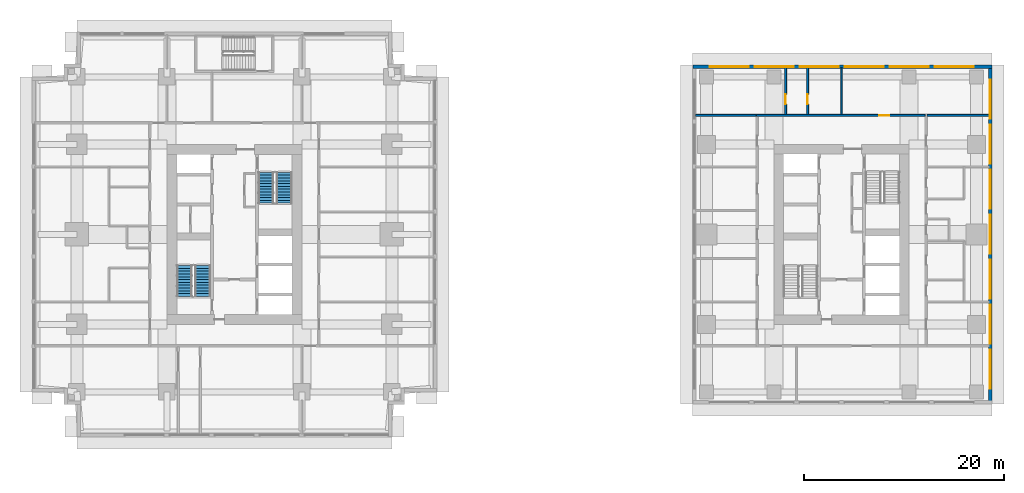
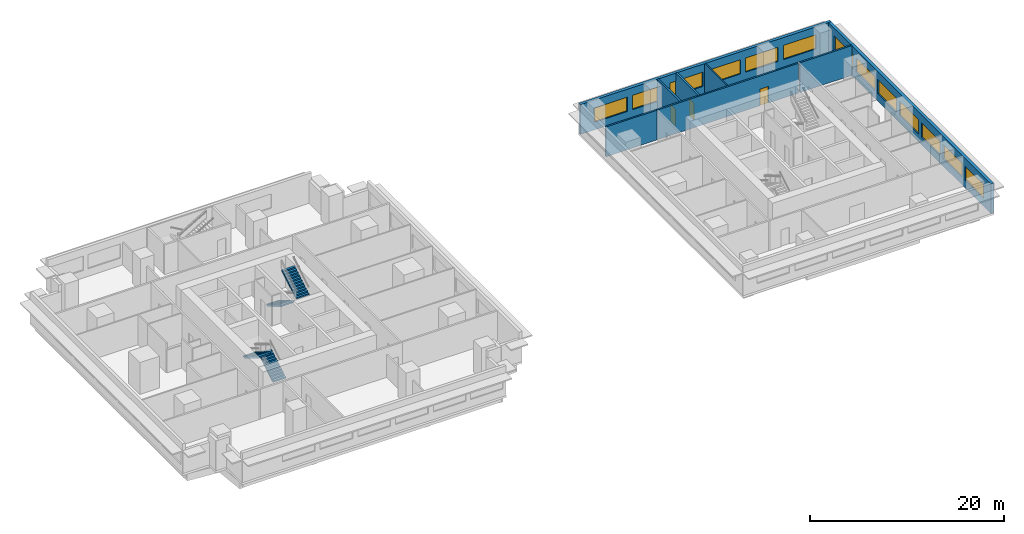
# One storey, part 8 of 11: 13 windows, 8 walls, 4 stair flights, 3 doors, 16 openings, 2 elements without a shape of their own.
"""IFC4 building model written with IfcOpenShell, lengths in metres."""

from ifc_helpers import new_model, si_unit, direction, frame, frame_2d, origin, place, context, subcontext, project, spatial, polyline, rectangle, outline, extrude, material, layer, layer_set, type_object, element, fill, aggregate, save


model = new_model("IFC4")

# Units and contexts
model_context = context("Model", 3, precision=1e-05, world=origin(), true_north=direction((0.0, 1.0)))
body_context = subcontext(model_context, "Body", "Model", "MODEL_VIEW")
ifc_project = project(units=[si_unit("LENGTHUNIT", "METRE"), si_unit("AREAUNIT", "SQUARE_METRE"), si_unit("VOLUMEUNIT", "CUBIC_METRE"), si_unit("PLANEANGLEUNIT", "RADIAN"), si_unit("MASSUNIT", "GRAM", prefix="KILO")], contexts=[model_context])

# Site, building, storey
site_placement = place(None, origin())
site = spatial("IfcSite", under=ifc_project, at=site_placement, CompositionType="ELEMENT")
building_placement = place(site_placement, origin())
building = spatial("IfcBuilding", under=site, at=building_placement, Name="Namib Vertical Campus", CompositionType="ELEMENT")
storey_placement = place(building_placement, frame((0.0, 0.0, 185.0)))
storey = spatial("IfcBuildingStorey", under=building, at=storey_placement, Name="L43", CompositionType="ELEMENT", Elevation=185.0)

# Wall, opening, door
ifc_material_1 = material(Name="Concrete masonry", Category="masonry")
ifc_layer_1 = layer(ifc_material_1, 0.199951171875)
ifc_layer_set_1 = layer_set([ifc_layer_1], Name="Corridor wall 200")
wall_type_1 = type_object("IfcWallType", Name="Corridor wall 200", PredefinedType="SOLIDWALL", material=ifc_layer_set_1)
wall_1_placement = place(storey_placement, frame((89.35009765625, 32.14990234375, 0.0), z_axis=(0.0, 0.0, 1.0), x_axis=(-1.0, 0.0, 0.0)))
wall_1 = element("IfcWall", 1, at=wall_1_placement, inside=storey, type_object=wall_type_1, Name="Corridor wall B L43 CN", PredefinedType="SOLIDWALL", context=body_context, shape_type="SweptSolid", body=[
    extrude(rectangle(XDim=16.900146484375, YDim=0.199951171875, at=frame_2d((8.4501953125, 0.0))), origin(), (0.0, 0.0, 1.0), 3.75),
])
opening_1_placement = place(wall_1_placement, frame((3.574951171875, 0.0, 0.0)))
opening_1 = element("IfcOpeningElement", 2, at=opening_1_placement, cuts=wall_1, Name="Opening CD1", PredefinedType="OPENING", context=body_context, shape_type="SweptSolid", body=[
    extrude(rectangle(XDim=1.0, YDim=2.10009765625, at=frame_2d((0.5, 1.050048828125))), frame((0.0, 0.10986328125, 0.0), z_axis=(0.0, -1.0, 0.0), x_axis=(1.0, 0.0, 0.0)), (0.0, 0.0, 1.0), 0.219970703125),
])
ifc_material_2 = material(Name="Timber fire door leaf", Category="wood")
door_type = type_object("IfcDoorType", Name="Corridor door 1000x2100 20 min", OperationType="SINGLE_SWING_LEFT", PredefinedType="DOOR", material=ifc_material_2)
door_1_placement = place(opening_1_placement, frame((1.0, 0.0, 0.0), z_axis=(0.0, 0.0, 1.0), x_axis=(-1.0, 0.0, 0.0)))
door_1 = element("IfcDoor", 3, at=door_1_placement, inside=storey, type_object=door_type, Name="Door CD1 B43-12", OperationType="SINGLE_SWING_LEFT", OverallHeight=2.10009765625, OverallWidth=1.0, PredefinedType="DOOR", context=body_context, shape_type="SweptSolid", body=[
    extrude(rectangle(XDim=1.0, YDim=2.10009765625, at=frame_2d((0.5, 1.050048828125))), frame((0.0, 0.02490234375, 0.0), z_axis=(0.0, -1.0, 0.0), x_axis=(1.0, 0.0, 0.0)), (0.0, 0.0, 1.0), 0.050048828125),
])
fill(opening_1, door_1)

wall_2_placement = place(storey_placement, frame((75.39990234375, 32.25, 0.0), z_axis=(0.0, 0.0, 1.0), x_axis=(0.0, 1.0, 0.0)))
wall_2 = element("IfcWall", 4, at=wall_2_placement, inside=storey, type_object=wall_type_1, Name="Corridor wall B L43 SPN1", PredefinedType="SOLIDWALL", context=body_context, shape_type="SweptSolid", body=[
    extrude(rectangle(XDim=4.64990234375, YDim=0.199951171875, at=frame_2d((2.324951171875, 0.0))), origin(), (0.0, 0.0, 1.0), 3.75),
])
opening_2_placement = place(wall_2_placement, frame((1.0, 0.0, 0.0)))
opening_2 = element("IfcOpeningElement", 5, at=opening_2_placement, cuts=wall_2, Name="Opening CD1", PredefinedType="OPENING", context=body_context, shape_type="SweptSolid", body=[
    extrude(rectangle(XDim=1.0, YDim=2.10009765625, at=frame_2d((0.5, 1.050048828125))), frame((0.0, 0.10986328125, 0.0), z_axis=(0.0, -1.0, 0.0), x_axis=(1.0, 0.0, 0.0)), (0.0, 0.0, 1.0), 0.219970703125),
])
door_2_placement = place(opening_2_placement, origin())
door_2 = element("IfcDoor", 6, at=door_2_placement, inside=storey, type_object=door_type, Name="Door CD1 B43-10", OperationType="SINGLE_SWING_LEFT", OverallHeight=2.10009765625, OverallWidth=1.0, PredefinedType="DOOR", context=body_context, shape_type="SweptSolid", body=[
    extrude(rectangle(XDim=1.0, YDim=2.10009765625, at=frame_2d((0.5, 1.050048828125))), frame((0.0, 0.02490234375, 0.0), z_axis=(0.0, -1.0, 0.0), x_axis=(1.0, 0.0, 0.0)), (0.0, 0.0, 1.0), 0.050048828125),
])
fill(opening_2, door_2)

wall_3_placement = place(storey_placement, frame((77.60009765625, 36.89990234375, 0.0), z_axis=(0.0, 0.0, 1.0), x_axis=(0.0, -1.0, 0.0)))
wall_3 = element("IfcWall", 7, at=wall_3_placement, inside=storey, type_object=wall_type_1, Name="Corridor wall B L43 SPN2", PredefinedType="SOLIDWALL", context=body_context, shape_type="SweptSolid", body=[
    extrude(rectangle(XDim=4.64990234375, YDim=0.199951171875, at=frame_2d((2.324951171875, 0.0))), origin(), (0.0, 0.0, 1.0), 3.75),
])
opening_3_placement = place(wall_3_placement, frame((2.64990234375, 0.0, 0.0)))
opening_3 = element("IfcOpeningElement", 8, at=opening_3_placement, cuts=wall_3, Name="Opening CD1", PredefinedType="OPENING", context=body_context, shape_type="SweptSolid", body=[
    extrude(rectangle(XDim=1.0, YDim=2.10009765625, at=frame_2d((0.5, 1.050048828125))), frame((0.0, 0.10986328125, 0.0), z_axis=(0.0, -1.0, 0.0), x_axis=(1.0, 0.0, 0.0)), (0.0, 0.0, 1.0), 0.219970703125),
])
door_3_placement = place(opening_3_placement, origin())
door_3 = element("IfcDoor", 9, at=door_3_placement, inside=storey, type_object=door_type, Name="Door CD1 B43-11", OperationType="SINGLE_SWING_RIGHT", OverallHeight=2.10009765625, OverallWidth=1.0, PredefinedType="DOOR", context=body_context, shape_type="SweptSolid", body=[
    extrude(rectangle(XDim=1.0, YDim=2.10009765625, at=frame_2d((0.5, 1.050048828125))), frame((0.0, 0.02490234375, 0.0), z_axis=(0.0, -1.0, 0.0), x_axis=(1.0, 0.0, 0.0)), (0.0, 0.0, 1.0), 0.050048828125),
])
fill(opening_3, door_3)

# Walls
wall_4_placement = place(storey_placement, frame((66.39990234375, 32.14990234375, 0.0), z_axis=(0.0, 0.0, 1.0), x_axis=(1.0, 0.0, 0.0)))
element("IfcWall", 10, at=wall_4_placement, inside=storey, type_object=wall_type_1, Name="Partition B L43 BNW", PredefinedType="SOLIDWALL", context=body_context, shape_type="SweptSolid", body=[
    extrude(rectangle(XDim=6.050048828125, YDim=0.199951171875, at=frame_2d((3.02490234375, 0.0))), origin(), (0.0, 0.0, 1.0), 3.75),
])
wall_5_placement = place(storey_placement, frame((89.550048828125, 32.14990234375, 0.0), z_axis=(0.0, 0.0, 1.0), x_axis=(1.0, 0.0, 0.0)))
element("IfcWall", 11, at=wall_5_placement, inside=storey, type_object=wall_type_1, Name="Partition B L43 BNE", PredefinedType="SOLIDWALL", context=body_context, shape_type="SweptSolid", body=[
    extrude(rectangle(XDim=6.199951171875, YDim=0.199951171875, at=frame_2d((3.10009765625, 0.0))), origin(), (0.0, 0.0, 1.0), 3.75),
])

# Wall, openings, windows
ifc_material_3 = material(Name="Concrete C40/50", Category="concrete")
ifc_layer_2 = layer(ifc_material_3, 0.35009765625)
ifc_layer_set_2 = layer_set([ifc_layer_2], Name="Concrete C40/50")
wall_type_2 = type_object("IfcWallType", Name="External wall 350 bush-hammered concrete", PredefinedType="STANDARD", material=ifc_layer_set_2)
wall_6_placement = place(storey_placement, frame((95.875, 3.320068359375, 0.0), z_axis=(0.0, 0.0, 1.0), x_axis=(0.0, 1.0, 0.0)))
wall_6 = element("IfcWall", 12, at=wall_6_placement, inside=storey, type_object=wall_type_2, Name="External wall L43 F02", PredefinedType="STANDARD", context=body_context, shape_type="SweptSolid", body=[
    extrude(rectangle(XDim=33.85986328125, YDim=0.35009765625, at=frame_2d((16.929931640625, 0.0))), origin(), (0.0, 0.0, 1.0), 3.75),
])
opening_4_placement = place(wall_6_placement, frame((1.47998046875, 0.0, 0.949951171875)))
opening_4 = element("IfcOpeningElement", 13, at=opening_4_placement, cuts=wall_6, Name="Opening W3", PredefinedType="OPENING", context=body_context, shape_type="SweptSolid", body=[
    extrude(rectangle(XDim=3.89990234375, YDim=1.800048828125, at=frame_2d((1.949951171875, 0.89990234375))), frame((0.0, 0.18505859375, 0.0), z_axis=(0.0, -1.0, 0.0), x_axis=(1.0, 0.0, 0.0)), (0.0, 0.0, 1.0), 0.3701171875),
])
opening_5_placement = place(wall_6_placement, frame((5.97998046875, 0.0, 0.949951171875)))
opening_5 = element("IfcOpeningElement", 14, at=opening_5_placement, cuts=wall_6, Name="Opening W3", PredefinedType="OPENING", context=body_context, shape_type="SweptSolid", body=[
    extrude(rectangle(XDim=3.89990234375, YDim=1.800048828125, at=frame_2d((1.949951171875, 0.89990234375))), frame((0.0, 0.18505859375, 0.0), z_axis=(0.0, -1.0, 0.0), x_axis=(1.0, 0.0, 0.0)), (0.0, 0.0, 1.0), 0.3701171875),
])
opening_6_placement = place(wall_6_placement, frame((10.47998046875, 0.0, 0.949951171875)))
opening_6 = element("IfcOpeningElement", 15, at=opening_6_placement, cuts=wall_6, Name="Opening W3", PredefinedType="OPENING", context=body_context, shape_type="SweptSolid", body=[
    extrude(rectangle(XDim=3.89990234375, YDim=1.800048828125, at=frame_2d((1.949951171875, 0.89990234375))), frame((0.0, 0.18505859375, 0.0), z_axis=(0.0, -1.0, 0.0), x_axis=(1.0, 0.0, 0.0)), (0.0, 0.0, 1.0), 0.3701171875),
])
opening_7_placement = place(wall_6_placement, frame((14.97998046875, 0.0, 0.949951171875)))
opening_7 = element("IfcOpeningElement", 16, at=opening_7_placement, cuts=wall_6, Name="Opening W3", PredefinedType="OPENING", context=body_context, shape_type="SweptSolid", body=[
    extrude(rectangle(XDim=3.89990234375, YDim=1.800048828125, at=frame_2d((1.949951171875, 0.89990234375))), frame((0.0, 0.18505859375, 0.0), z_axis=(0.0, -1.0, 0.0), x_axis=(1.0, 0.0, 0.0)), (0.0, 0.0, 1.0), 0.3701171875),
])
opening_8_placement = place(wall_6_placement, frame((19.47998046875, 0.0, 0.949951171875)))
opening_8 = element("IfcOpeningElement", 17, at=opening_8_placement, cuts=wall_6, Name="Opening W3", PredefinedType="OPENING", context=body_context, shape_type="SweptSolid", body=[
    extrude(rectangle(XDim=3.89990234375, YDim=1.800048828125, at=frame_2d((1.949951171875, 0.89990234375))), frame((0.0, 0.18505859375, 0.0), z_axis=(0.0, -1.0, 0.0), x_axis=(1.0, 0.0, 0.0)), (0.0, 0.0, 1.0), 0.3701171875),
])
opening_9_placement = place(wall_6_placement, frame((23.97998046875, 0.0, 0.949951171875)))
opening_9 = element("IfcOpeningElement", 18, at=opening_9_placement, cuts=wall_6, Name="Opening W3", PredefinedType="OPENING", context=body_context, shape_type="SweptSolid", body=[
    extrude(rectangle(XDim=3.89990234375, YDim=1.800048828125, at=frame_2d((1.949951171875, 0.89990234375))), frame((0.0, 0.18505859375, 0.0), z_axis=(0.0, -1.0, 0.0), x_axis=(1.0, 0.0, 0.0)), (0.0, 0.0, 1.0), 0.3701171875),
])
opening_10_placement = place(wall_6_placement, frame((28.47998046875, 0.0, 0.949951171875)))
opening_10 = element("IfcOpeningElement", 19, at=opening_10_placement, cuts=wall_6, Name="Opening W3", PredefinedType="OPENING", context=body_context, shape_type="SweptSolid", body=[
    extrude(rectangle(XDim=3.89990234375, YDim=1.800048828125, at=frame_2d((1.949951171875, 0.89990234375))), frame((0.0, 0.18505859375, 0.0), z_axis=(0.0, -1.0, 0.0), x_axis=(1.0, 0.0, 0.0)), (0.0, 0.0, 1.0), 0.3701171875),
])
ifc_material_4 = material(Name="Dark tinted glass in black aluminium frame", Category="aluminium")
window_type = type_object("IfcWindowType", Name="Ribbon window 3900x1800", PartitioningType="SINGLE_PANEL", PredefinedType="WINDOW", material=ifc_material_4)
window_1_placement = place(opening_4_placement, origin())
window_1 = element("IfcWindow", 20, at=window_1_placement, inside=storey, type_object=window_type, Name="Window W3 L43 F02-1", OverallHeight=1.800048828125, OverallWidth=3.89990234375, PartitioningType="SINGLE_PANEL", PredefinedType="WINDOW", context=body_context, shape_type="SweptSolid", body=[
    extrude(rectangle(XDim=3.89990234375, YDim=1.800048828125, at=frame_2d((1.949951171875, 0.89990234375))), frame((0.0, 0.030029296875, 0.0), z_axis=(0.0, -1.0, 0.0), x_axis=(1.0, 0.0, 0.0)), (0.0, 0.0, 1.0), 0.06005859375),
])
fill(opening_4, window_1)
window_2_placement = place(opening_5_placement, origin())
window_2 = element("IfcWindow", 21, at=window_2_placement, inside=storey, type_object=window_type, Name="Window W3 L43 F02-2", OverallHeight=1.800048828125, OverallWidth=3.89990234375, PartitioningType="SINGLE_PANEL", PredefinedType="WINDOW", context=body_context, shape_type="SweptSolid", body=[
    extrude(rectangle(XDim=3.89990234375, YDim=1.800048828125, at=frame_2d((1.949951171875, 0.89990234375))), frame((0.0, 0.030029296875, 0.0), z_axis=(0.0, -1.0, 0.0), x_axis=(1.0, 0.0, 0.0)), (0.0, 0.0, 1.0), 0.06005859375),
])
fill(opening_5, window_2)
window_3_placement = place(opening_6_placement, origin())
window_3 = element("IfcWindow", 22, at=window_3_placement, inside=storey, type_object=window_type, Name="Window W3 L43 F02-3", OverallHeight=1.800048828125, OverallWidth=3.89990234375, PartitioningType="SINGLE_PANEL", PredefinedType="WINDOW", context=body_context, shape_type="SweptSolid", body=[
    extrude(rectangle(XDim=3.89990234375, YDim=1.800048828125, at=frame_2d((1.949951171875, 0.89990234375))), frame((0.0, 0.030029296875, 0.0), z_axis=(0.0, -1.0, 0.0), x_axis=(1.0, 0.0, 0.0)), (0.0, 0.0, 1.0), 0.06005859375),
])
fill(opening_6, window_3)
window_4_placement = place(opening_7_placement, origin())
window_4 = element("IfcWindow", 23, at=window_4_placement, inside=storey, type_object=window_type, Name="Window W3 L43 F02-4", OverallHeight=1.800048828125, OverallWidth=3.89990234375, PartitioningType="SINGLE_PANEL", PredefinedType="WINDOW", context=body_context, shape_type="SweptSolid", body=[
    extrude(rectangle(XDim=3.89990234375, YDim=1.800048828125, at=frame_2d((1.949951171875, 0.89990234375))), frame((0.0, 0.030029296875, 0.0), z_axis=(0.0, -1.0, 0.0), x_axis=(1.0, 0.0, 0.0)), (0.0, 0.0, 1.0), 0.06005859375),
])
fill(opening_7, window_4)
window_5_placement = place(opening_8_placement, origin())
window_5 = element("IfcWindow", 24, at=window_5_placement, inside=storey, type_object=window_type, Name="Window W3 L43 F02-5", OverallHeight=1.800048828125, OverallWidth=3.89990234375, PartitioningType="SINGLE_PANEL", PredefinedType="WINDOW", context=body_context, shape_type="SweptSolid", body=[
    extrude(rectangle(XDim=3.89990234375, YDim=1.800048828125, at=frame_2d((1.949951171875, 0.89990234375))), frame((0.0, 0.030029296875, 0.0), z_axis=(0.0, -1.0, 0.0), x_axis=(1.0, 0.0, 0.0)), (0.0, 0.0, 1.0), 0.06005859375),
])
fill(opening_8, window_5)
window_6_placement = place(opening_9_placement, origin())
window_6 = element("IfcWindow", 25, at=window_6_placement, inside=storey, type_object=window_type, Name="Window W3 L43 F02-6", OverallHeight=1.800048828125, OverallWidth=3.89990234375, PartitioningType="SINGLE_PANEL", PredefinedType="WINDOW", context=body_context, shape_type="SweptSolid", body=[
    extrude(rectangle(XDim=3.89990234375, YDim=1.800048828125, at=frame_2d((1.949951171875, 0.89990234375))), frame((0.0, 0.030029296875, 0.0), z_axis=(0.0, -1.0, 0.0), x_axis=(1.0, 0.0, 0.0)), (0.0, 0.0, 1.0), 0.06005859375),
])
fill(opening_9, window_6)
window_7_placement = place(opening_10_placement, origin())
window_7 = element("IfcWindow", 26, at=window_7_placement, inside=storey, type_object=window_type, Name="Window W3 L43 F02-7", OverallHeight=1.800048828125, OverallWidth=3.89990234375, PartitioningType="SINGLE_PANEL", PredefinedType="WINDOW", context=body_context, shape_type="SweptSolid", body=[
    extrude(rectangle(XDim=3.89990234375, YDim=1.800048828125, at=frame_2d((1.949951171875, 0.89990234375))), frame((0.0, 0.030029296875, 0.0), z_axis=(0.0, -1.0, 0.0), x_axis=(1.0, 0.0, 0.0)), (0.0, 0.0, 1.0), 0.06005859375),
])
fill(opening_10, window_7)

wall_7_placement = place(storey_placement, frame((96.030029296875, 37.02490234375, 0.0), z_axis=(0.0, 0.0, 1.0), x_axis=(-1.0, 0.0, 0.0)))
wall_7 = element("IfcWall", 27, at=wall_7_placement, inside=storey, type_object=wall_type_2, Name="External wall L43 F03", PredefinedType="STANDARD", context=body_context, shape_type="SweptSolid", body=[
    extrude(rectangle(XDim=29.909912109375, YDim=0.35009765625, at=frame_2d((14.955078125, 0.0))), origin(), (0.0, 0.0, 1.0), 3.75),
])
opening_11_placement = place(wall_7_placement, frame((24.330078125, 0.0, 0.949951171875)))
opening_11 = element("IfcOpeningElement", 28, at=opening_11_placement, cuts=wall_7, Name="Opening W3", PredefinedType="OPENING", context=body_context, shape_type="SweptSolid", body=[
    extrude(rectangle(XDim=3.89990234375, YDim=1.800048828125, at=frame_2d((1.949951171875, 0.89990234375))), frame((0.0, 0.18505859375, 0.0), z_axis=(0.0, -1.0, 0.0), x_axis=(1.0, 0.0, 0.0)), (0.0, 0.0, 1.0), 0.3701171875),
])
opening_12_placement = place(wall_7_placement, frame((19.830078125, 0.0, 0.949951171875)))
opening_12 = element("IfcOpeningElement", 29, at=opening_12_placement, cuts=wall_7, Name="Opening W3", PredefinedType="OPENING", context=body_context, shape_type="SweptSolid", body=[
    extrude(rectangle(XDim=3.89990234375, YDim=1.800048828125, at=frame_2d((1.949951171875, 0.89990234375))), frame((0.0, 0.18505859375, 0.0), z_axis=(0.0, -1.0, 0.0), x_axis=(1.0, 0.0, 0.0)), (0.0, 0.0, 1.0), 0.3701171875),
])
opening_13_placement = place(wall_7_placement, frame((15.330078125, 0.0, 0.949951171875)))
opening_13 = element("IfcOpeningElement", 30, at=opening_13_placement, cuts=wall_7, Name="Opening W3", PredefinedType="OPENING", context=body_context, shape_type="SweptSolid", body=[
    extrude(rectangle(XDim=3.89990234375, YDim=1.800048828125, at=frame_2d((1.949951171875, 0.89990234375))), frame((0.0, 0.18505859375, 0.0), z_axis=(0.0, -1.0, 0.0), x_axis=(1.0, 0.0, 0.0)), (0.0, 0.0, 1.0), 0.3701171875),
])
opening_14_placement = place(wall_7_placement, frame((10.830078125, 0.0, 0.949951171875)))
opening_14 = element("IfcOpeningElement", 31, at=opening_14_placement, cuts=wall_7, Name="Opening W3", PredefinedType="OPENING", context=body_context, shape_type="SweptSolid", body=[
    extrude(rectangle(XDim=3.89990234375, YDim=1.800048828125, at=frame_2d((1.949951171875, 0.89990234375))), frame((0.0, 0.18505859375, 0.0), z_axis=(0.0, -1.0, 0.0), x_axis=(1.0, 0.0, 0.0)), (0.0, 0.0, 1.0), 0.3701171875),
])
opening_15_placement = place(wall_7_placement, frame((6.330078125, 0.0, 0.949951171875)))
opening_15 = element("IfcOpeningElement", 32, at=opening_15_placement, cuts=wall_7, Name="Opening W3", PredefinedType="OPENING", context=body_context, shape_type="SweptSolid", body=[
    extrude(rectangle(XDim=3.89990234375, YDim=1.800048828125, at=frame_2d((1.949951171875, 0.89990234375))), frame((0.0, 0.18505859375, 0.0), z_axis=(0.0, -1.0, 0.0), x_axis=(1.0, 0.0, 0.0)), (0.0, 0.0, 1.0), 0.3701171875),
])
opening_16_placement = place(wall_7_placement, frame((1.830078125, 0.0, 0.949951171875)))
opening_16 = element("IfcOpeningElement", 33, at=opening_16_placement, cuts=wall_7, Name="Opening W3", PredefinedType="OPENING", context=body_context, shape_type="SweptSolid", body=[
    extrude(rectangle(XDim=3.89990234375, YDim=1.800048828125, at=frame_2d((1.949951171875, 0.89990234375))), frame((0.0, 0.18505859375, 0.0), z_axis=(0.0, -1.0, 0.0), x_axis=(1.0, 0.0, 0.0)), (0.0, 0.0, 1.0), 0.3701171875),
])
window_8_placement = place(opening_11_placement, origin())
window_8 = element("IfcWindow", 34, at=window_8_placement, inside=storey, type_object=window_type, Name="Window W3 L43 F03-1", OverallHeight=1.800048828125, OverallWidth=3.89990234375, PartitioningType="SINGLE_PANEL", PredefinedType="WINDOW", context=body_context, shape_type="SweptSolid", body=[
    extrude(rectangle(XDim=3.89990234375, YDim=1.800048828125, at=frame_2d((1.949951171875, 0.89990234375))), frame((0.0, 0.030029296875, 0.0), z_axis=(0.0, -1.0, 0.0), x_axis=(1.0, 0.0, 0.0)), (0.0, 0.0, 1.0), 0.06005859375),
])
fill(opening_11, window_8)
window_9_placement = place(opening_12_placement, origin())
window_9 = element("IfcWindow", 35, at=window_9_placement, inside=storey, type_object=window_type, Name="Window W3 L43 F03-2", OverallHeight=1.800048828125, OverallWidth=3.89990234375, PartitioningType="SINGLE_PANEL", PredefinedType="WINDOW", context=body_context, shape_type="SweptSolid", body=[
    extrude(rectangle(XDim=3.89990234375, YDim=1.800048828125, at=frame_2d((1.949951171875, 0.89990234375))), frame((0.0, 0.030029296875, 0.0), z_axis=(0.0, -1.0, 0.0), x_axis=(1.0, 0.0, 0.0)), (0.0, 0.0, 1.0), 0.06005859375),
])
fill(opening_12, window_9)
window_10_placement = place(opening_13_placement, origin())
window_10 = element("IfcWindow", 36, at=window_10_placement, inside=storey, type_object=window_type, Name="Window W3 L43 F03-3", OverallHeight=1.800048828125, OverallWidth=3.89990234375, PartitioningType="SINGLE_PANEL", PredefinedType="WINDOW", context=body_context, shape_type="SweptSolid", body=[
    extrude(rectangle(XDim=3.89990234375, YDim=1.800048828125, at=frame_2d((1.949951171875, 0.89990234375))), frame((0.0, 0.030029296875, 0.0), z_axis=(0.0, -1.0, 0.0), x_axis=(1.0, 0.0, 0.0)), (0.0, 0.0, 1.0), 0.06005859375),
])
fill(opening_13, window_10)
window_11_placement = place(opening_14_placement, origin())
window_11 = element("IfcWindow", 37, at=window_11_placement, inside=storey, type_object=window_type, Name="Window W3 L43 F03-4", OverallHeight=1.800048828125, OverallWidth=3.89990234375, PartitioningType="SINGLE_PANEL", PredefinedType="WINDOW", context=body_context, shape_type="SweptSolid", body=[
    extrude(rectangle(XDim=3.89990234375, YDim=1.800048828125, at=frame_2d((1.949951171875, 0.89990234375))), frame((0.0, 0.030029296875, 0.0), z_axis=(0.0, -1.0, 0.0), x_axis=(1.0, 0.0, 0.0)), (0.0, 0.0, 1.0), 0.06005859375),
])
fill(opening_14, window_11)
window_12_placement = place(opening_15_placement, origin())
window_12 = element("IfcWindow", 38, at=window_12_placement, inside=storey, type_object=window_type, Name="Window W3 L43 F03-5", OverallHeight=1.800048828125, OverallWidth=3.89990234375, PartitioningType="SINGLE_PANEL", PredefinedType="WINDOW", context=body_context, shape_type="SweptSolid", body=[
    extrude(rectangle(XDim=3.89990234375, YDim=1.800048828125, at=frame_2d((1.949951171875, 0.89990234375))), frame((0.0, 0.030029296875, 0.0), z_axis=(0.0, -1.0, 0.0), x_axis=(1.0, 0.0, 0.0)), (0.0, 0.0, 1.0), 0.06005859375),
])
fill(opening_15, window_12)
window_13_placement = place(opening_16_placement, origin())
window_13 = element("IfcWindow", 39, at=window_13_placement, inside=storey, type_object=window_type, Name="Window W3 L43 F03-6", OverallHeight=1.800048828125, OverallWidth=3.89990234375, PartitioningType="SINGLE_PANEL", PredefinedType="WINDOW", context=body_context, shape_type="SweptSolid", body=[
    extrude(rectangle(XDim=3.89990234375, YDim=1.800048828125, at=frame_2d((1.949951171875, 0.89990234375))), frame((0.0, 0.030029296875, 0.0), z_axis=(0.0, -1.0, 0.0), x_axis=(1.0, 0.0, 0.0)), (0.0, 0.0, 1.0), 0.06005859375),
])
fill(opening_16, window_13)

# Wall
ifc_material_5 = material(Name="Gypsum board on steel studs", Category="steel")
ifc_layer_3 = layer(ifc_material_5, 0.14990234375)
ifc_layer_set_3 = layer_set([ifc_layer_3], Name="Gypsum board on steel studs")
wall_type_3 = type_object("IfcWallType", Name="Partition 150", PredefinedType="PARTITIONING", material=ifc_layer_set_3)
wall_8_placement = place(storey_placement, frame((81.0, 32.25, 0.0), z_axis=(0.0, 0.0, 1.0), x_axis=(0.0, 1.0, 0.0)))
element("IfcWall", 40, at=wall_8_placement, inside=storey, type_object=wall_type_3, Name="Partition B L43 PN3", PredefinedType="PARTITIONING", context=body_context, shape_type="SweptSolid", body=[
    extrude(rectangle(XDim=4.64990234375, YDim=0.14990234375, at=frame_2d((2.324951171875, 0.0))), origin(), (0.0, 0.0, 1.0), 3.75),
])

# Stair, stair flights
ifc_material_6 = material(Name="Concrete C40/50 precast", Category="concrete")
stair_type = type_object("IfcStairType", Name="Exit stair 4000 rise 24 risers 3350 wide", PredefinedType="HALF_TURN_STAIR", material=ifc_material_6)
stair_1_placement = place(storey_placement, origin())
stair_1 = element("IfcStair", 41, at=stair_1_placement, inside=storey, type_object=stair_type, Name="Exit stair A-S1 L43", PredefinedType="HALF_TURN_STAIR")
ifc_material_7 = material(Name="Concrete C40/50 precast", Category="concrete")
stair_flight_type = type_object("IfcStairFlightType", Name="Stair flight 12 risers 167 1525 wide", PredefinedType="STRAIGHT", material=ifc_material_7)
stair_flight_1_placement = place(storey_placement, frame((17.08740234375, 14.050048828125, 0.0), z_axis=(0.0, 0.0, 1.0), x_axis=(0.0, 1.0, 0.0)))
stair_flight_1 = element("IfcStairFlight", 42, at=stair_flight_1_placement, type_object=stair_flight_type, Name="A-S1 flight 1", NumberOfRisers=12, NumberOfTreads=11, PredefinedType="STRAIGHT", RiserHeight=0.166666667, TreadLength=0.28, context=body_context, shape_type="SweptSolid", body=[
    extrude(outline(polyline([(0.0, 0.0), (0.0, 0.166748046875), (0.280029296875, 0.166748046875), (0.280029296875, 0.333251953125), (0.56005859375, 0.333251953125), (0.56005859375, 0.5), (0.840087890625, 0.5), (0.840087890625, 0.666748046875), (1.1201171875, 0.666748046875), (1.1201171875, 0.833251953125), (1.39990234375, 0.833251953125), (1.39990234375, 1.0), (1.679931640625, 1.0), (1.679931640625, 1.166748046875), (1.9599609375, 1.166748046875), (1.9599609375, 1.333251953125), (2.239990234375, 1.333251953125), (2.239990234375, 1.5), (2.52001953125, 1.5), (2.52001953125, 1.666748046875), (2.800048828125, 1.666748046875), (2.800048828125, 1.833251953125), (3.080078125, 1.833251953125), (3.080078125, 2.0), (3.080078125, 1.658935546875), (0.29296875, 0.0), (0.0, 0.0)])), frame((0.0, 0.762451171875, 0.0), z_axis=(0.0, -1.0, 0.0), x_axis=(1.0, 0.0, 0.0)), (0.0, 0.0, 1.0), 1.52490234375),
])
stair_flight_2_placement = place(storey_placement, frame((15.262451171875, 17.1298828125, 2.0), z_axis=(0.0, 0.0, 1.0), x_axis=(0.0, -1.0, 0.0)))
stair_flight_2 = element("IfcStairFlight", 43, at=stair_flight_2_placement, type_object=stair_flight_type, Name="A-S1 flight 2", NumberOfRisers=12, NumberOfTreads=11, PredefinedType="STRAIGHT", RiserHeight=0.166666667, TreadLength=0.28, context=body_context, shape_type="SweptSolid", body=[
    extrude(outline(polyline([(0.0, 0.0), (0.0, 0.166748046875), (0.280029296875, 0.166748046875), (0.280029296875, 0.333251953125), (0.56005859375, 0.333251953125), (0.56005859375, 0.5), (0.840087890625, 0.5), (0.840087890625, 0.666748046875), (1.1201171875, 0.666748046875), (1.1201171875, 0.833251953125), (1.39990234375, 0.833251953125), (1.39990234375, 1.0), (1.679931640625, 1.0), (1.679931640625, 1.166748046875), (1.9599609375, 1.166748046875), (1.9599609375, 1.333251953125), (2.239990234375, 1.333251953125), (2.239990234375, 1.5), (2.52001953125, 1.5), (2.52001953125, 1.666748046875), (2.800048828125, 1.666748046875), (2.800048828125, 1.833251953125), (3.080078125, 1.833251953125), (3.080078125, 2.0), (3.080078125, 1.658935546875), (0.29296875, 0.0), (0.0, 0.0)])), frame((0.0, 0.762451171875, 0.0), z_axis=(0.0, -1.0, 0.0), x_axis=(1.0, 0.0, 0.0)), (0.0, 0.0, 1.0), 1.52490234375),
])
aggregate(stair_1, [stair_flight_1, stair_flight_2])

stair_2_placement = place(storey_placement, origin())
stair_2 = element("IfcStair", 44, at=stair_2_placement, inside=storey, type_object=stair_type, Name="Exit stair A-S2 L43", PredefinedType="HALF_TURN_STAIR")
stair_flight_3_placement = place(storey_placement, frame((23.41259765625, 26.449951171875, 0.0), z_axis=(0.0, 0.0, 1.0), x_axis=(0.0, -1.0, 0.0)))
stair_flight_3 = element("IfcStairFlight", 45, at=stair_flight_3_placement, type_object=stair_flight_type, Name="A-S2 flight 1", NumberOfRisers=12, NumberOfTreads=11, PredefinedType="STRAIGHT", RiserHeight=0.166666667, TreadLength=0.28, context=body_context, shape_type="SweptSolid", body=[
    extrude(outline(polyline([(0.0, 0.0), (0.0, 0.166748046875), (0.280029296875, 0.166748046875), (0.280029296875, 0.333251953125), (0.56005859375, 0.333251953125), (0.56005859375, 0.5), (0.840087890625, 0.5), (0.840087890625, 0.666748046875), (1.1201171875, 0.666748046875), (1.1201171875, 0.833251953125), (1.39990234375, 0.833251953125), (1.39990234375, 1.0), (1.679931640625, 1.0), (1.679931640625, 1.166748046875), (1.9599609375, 1.166748046875), (1.9599609375, 1.333251953125), (2.239990234375, 1.333251953125), (2.239990234375, 1.5), (2.52001953125, 1.5), (2.52001953125, 1.666748046875), (2.800048828125, 1.666748046875), (2.800048828125, 1.833251953125), (3.080078125, 1.833251953125), (3.080078125, 2.0), (3.080078125, 1.658935546875), (0.29296875, 0.0), (0.0, 0.0)])), frame((0.0, 0.762451171875, 0.0), z_axis=(0.0, -1.0, 0.0), x_axis=(1.0, 0.0, 0.0)), (0.0, 0.0, 1.0), 1.52490234375),
])
stair_flight_4_placement = place(storey_placement, frame((25.237548828125, 23.3701171875, 2.0), z_axis=(0.0, 0.0, 1.0), x_axis=(0.0, 1.0, 0.0)))
stair_flight_4 = element("IfcStairFlight", 46, at=stair_flight_4_placement, type_object=stair_flight_type, Name="A-S2 flight 2", NumberOfRisers=12, NumberOfTreads=11, PredefinedType="STRAIGHT", RiserHeight=0.166666667, TreadLength=0.28, context=body_context, shape_type="SweptSolid", body=[
    extrude(outline(polyline([(0.0, 0.0), (0.0, 0.166748046875), (0.280029296875, 0.166748046875), (0.280029296875, 0.333251953125), (0.56005859375, 0.333251953125), (0.56005859375, 0.5), (0.840087890625, 0.5), (0.840087890625, 0.666748046875), (1.1201171875, 0.666748046875), (1.1201171875, 0.833251953125), (1.39990234375, 0.833251953125), (1.39990234375, 1.0), (1.679931640625, 1.0), (1.679931640625, 1.166748046875), (1.9599609375, 1.166748046875), (1.9599609375, 1.333251953125), (2.239990234375, 1.333251953125), (2.239990234375, 1.5), (2.52001953125, 1.5), (2.52001953125, 1.666748046875), (2.800048828125, 1.666748046875), (2.800048828125, 1.833251953125), (3.080078125, 1.833251953125), (3.080078125, 2.0), (3.080078125, 1.658935546875), (0.29296875, 0.0), (0.0, 0.0)])), frame((0.0, 0.762451171875, 0.0), z_axis=(0.0, -1.0, 0.0), x_axis=(1.0, 0.0, 0.0)), (0.0, 0.0, 1.0), 1.52490234375),
])
aggregate(stair_2, [stair_flight_3, stair_flight_4])

save(model, "model.ifc")
